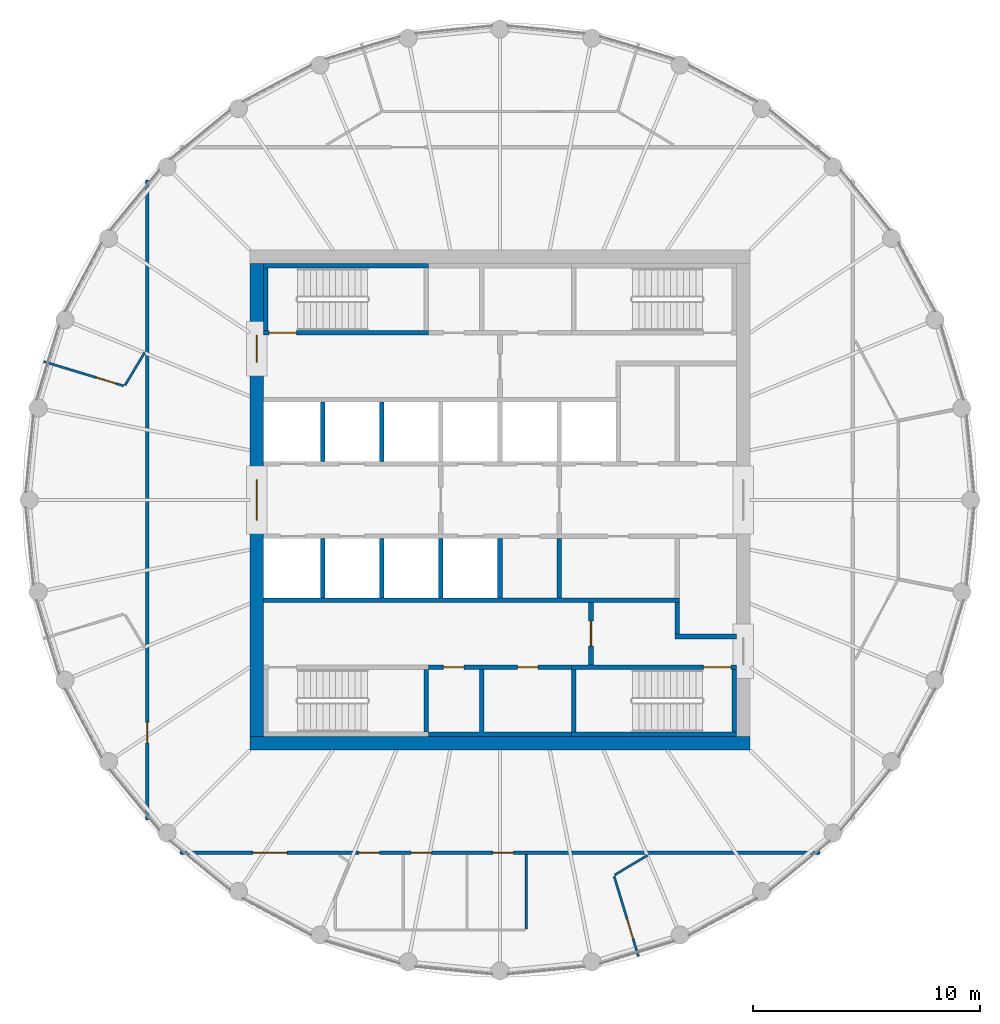
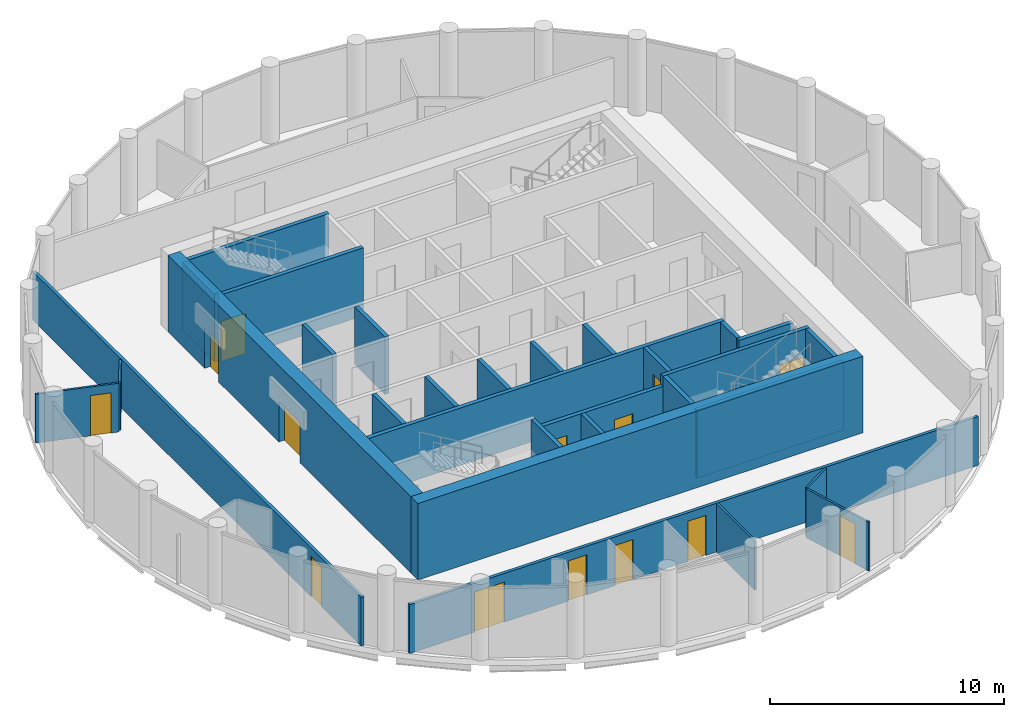
# One storey, part 4 of 7: 30 walls, 14 doors, 14 openings.
"""IFC4 building model written with IfcOpenShell, lengths in metres."""

from ifc_helpers import new_model, si_unit, direction, frame, frame_2d, origin, place, context, subcontext, project, spatial, polyline, rectangle, outline, extrude, material, layer, layer_set, type_object, element, fill, save


model = new_model("IFC4")

# Units and contexts
model_context = context("Model", 3, precision=1e-05, world=origin(), true_north=direction((0.0, 1.0)))
body_context = subcontext(model_context, "Body", "Model", "MODEL_VIEW")
ifc_project = project(units=[si_unit("LENGTHUNIT", "METRE"), si_unit("AREAUNIT", "SQUARE_METRE"), si_unit("VOLUMEUNIT", "CUBIC_METRE"), si_unit("PLANEANGLEUNIT", "RADIAN"), si_unit("MASSUNIT", "GRAM", prefix="KILO")], contexts=[model_context])

# Site, building, storey
site_placement = place(None, origin())
site = spatial("IfcSite", under=ifc_project, at=site_placement, CompositionType="ELEMENT")
building_placement = place(site_placement, origin())
building = spatial("IfcBuilding", under=site, at=building_placement, Name="Corvane Civic Tower", CompositionType="ELEMENT")
storey_placement = place(building_placement, frame((0.0, 0.0, 376.5)))
storey = spatial("IfcBuildingStorey", under=building, at=storey_placement, Name="L90", CompositionType="ELEMENT", Elevation=376.5)

# Wall
ifc_material_1 = material(Name="Concrete C40/50", Category="concrete")
ifc_layer_1 = layer(ifc_material_1, 0.60009765625)
ifc_layer_set_1 = layer_set([ifc_layer_1], Name="Concrete C40/50")
wall_type_1 = type_object("IfcWallType", Name="CORE WALL 600 C40/50", PredefinedType="SHEAR", material=ifc_layer_set_1)
wall_1_placement = place(storey_placement, frame((-11.0, -10.699951171875, 0.0), z_axis=(0.0, 0.0, 1.0), x_axis=(1.0, 0.0, 0.0)))
element("IfcWall", 1, at=wall_1_placement, inside=storey, type_object=wall_type_1, Name="W-L90-core-S", PredefinedType="SHEAR", context=body_context, shape_type="SweptSolid", body=[
    extrude(rectangle(XDim=22.0, YDim=0.60009765625, at=frame_2d((11.0, 0.0))), origin(), (0.0, 0.0, 1.0), 4.0),
])

# Wall, openings, doors
wall_2_placement = place(storey_placement, frame((-10.699951171875, -10.39990234375, 0.0), z_axis=(0.0, 0.0, 1.0), x_axis=(0.0, 1.0, 0.0)))
wall_2 = element("IfcWall", 2, at=wall_2_placement, inside=storey, type_object=wall_type_1, Name="W-L90-core-W", PredefinedType="SHEAR", context=body_context, shape_type="SweptSolid", body=[
    extrude(rectangle(XDim=20.7998046875, YDim=0.60009765625, at=frame_2d((10.39990234375, 0.0))), origin(), (0.0, 0.0, 1.0), 4.0),
])
opening_1_placement = place(wall_2_placement, frame((9.5, 0.0, 0.0)))
opening_1 = element("IfcOpeningElement", 3, at=opening_1_placement, cuts=wall_2, Name="Opening L90.C18", PredefinedType="OPENING", context=body_context, shape_type="SweptSolid", body=[
    extrude(rectangle(XDim=1.800048828125, YDim=2.10009765625, at=frame_2d((0.89990234375, 1.050048828125))), frame((0.0, 0.31005859375, 0.0), z_axis=(0.0, -1.0, 0.0), x_axis=(1.0, 0.0, 0.0)), (0.0, 0.0, 1.0), 0.6201171875),
])
opening_2_placement = place(wall_2_placement, frame((16.449951171875, 0.0, 0.0)))
opening_2 = element("IfcOpeningElement", 4, at=opening_2_placement, cuts=wall_2, Name="Opening L90.C20", PredefinedType="OPENING", context=body_context, shape_type="SweptSolid", body=[
    extrude(rectangle(XDim=1.199951171875, YDim=2.10009765625, at=frame_2d((0.60009765625, 1.050048828125))), frame((0.0, 0.31005859375, 0.0), z_axis=(0.0, -1.0, 0.0), x_axis=(1.0, 0.0, 0.0)), (0.0, 0.0, 1.0), 0.6201171875),
])
ifc_material_2 = material(Name="Steel fire door leaf", Category="steel")
door_type_1 = type_object("IfcDoorType", Name="CR-DOOR-CORE-1800", OperationType="DOUBLE_DOOR_SINGLE_SWING", PredefinedType="DOOR", material=ifc_material_2)
door_1_placement = place(opening_1_placement, origin())
door_1 = element("IfcDoor", 5, at=door_1_placement, inside=storey, type_object=door_type_1, Name="L90 door", OperationType="DOUBLE_DOOR_SINGLE_SWING", OverallHeight=2.10009765625, OverallWidth=1.800048828125, PredefinedType="DOOR", context=body_context, shape_type="SweptSolid", body=[
    extrude(rectangle(XDim=1.800048828125, YDim=2.10009765625, at=frame_2d((0.89990234375, 1.050048828125))), frame((0.0, 0.02490234375, 0.0), z_axis=(0.0, -1.0, 0.0), x_axis=(1.0, 0.0, 0.0)), (0.0, 0.0, 1.0), 0.050048828125),
])
fill(opening_1, door_1)
door_2_placement = place(opening_2_placement, origin())
door_2 = element("IfcDoor", 6, at=door_2_placement, inside=storey, type_object=door_type_1, Name="L90 door", OperationType="DOUBLE_DOOR_SINGLE_SWING", OverallHeight=2.10009765625, OverallWidth=1.199951171875, PredefinedType="DOOR", context=body_context, shape_type="SweptSolid", body=[
    extrude(rectangle(XDim=1.199951171875, YDim=2.10009765625, at=frame_2d((0.60009765625, 1.050048828125))), frame((0.0, 0.02490234375, 0.0), z_axis=(0.0, -1.0, 0.0), x_axis=(1.0, 0.0, 0.0)), (0.0, 0.0, 1.0), 0.050048828125),
])
fill(opening_2, door_2)

ifc_material_3 = material(Name="Concrete C30/37", Category="concrete")
ifc_layer_2 = layer(ifc_material_3, 0.199951171875)
ifc_layer_set_2 = layer_set([ifc_layer_2], Name="Concrete C30/37")
wall_type_2 = type_object("IfcWallType", Name="CR-WALL-200", PredefinedType="PARTITIONING", material=ifc_layer_set_2)
wall_3_placement = place(storey_placement, frame((-3.14990234375, -7.35009765625, 0.0), z_axis=(0.0, 0.0, 1.0), x_axis=(1.0, 0.0, 0.0)))
wall_3 = element("IfcWall", 7, at=wall_3_placement, inside=storey, type_object=wall_type_2, Name="L90 core partition wall", PredefinedType="PARTITIONING", context=body_context, shape_type="SweptSolid", body=[
    extrude(rectangle(XDim=6.2998046875, YDim=0.199951171875, at=frame_2d((3.14990234375, 0.0))), origin(), (0.0, 0.0, 1.0), 3.0),
])
opening_3_placement = place(wall_3_placement, frame((0.675048828125, 0.0, 0.0)))
opening_3 = element("IfcOpeningElement", 8, at=opening_3_placement, cuts=wall_3, Name="Opening L90.C08", PredefinedType="OPENING", context=body_context, shape_type="SweptSolid", body=[
    extrude(rectangle(XDim=0.89990234375, YDim=2.10009765625, at=frame_2d((0.449951171875, 1.050048828125))), frame((0.0, 0.10986328125, 0.0), z_axis=(0.0, -1.0, 0.0), x_axis=(1.0, 0.0, 0.0)), (0.0, 0.0, 1.0), 0.219970703125),
])
opening_4_placement = place(wall_3_placement, frame((3.925048828125, 0.0, 0.0)))
opening_4 = element("IfcOpeningElement", 9, at=opening_4_placement, cuts=wall_3, Name="Opening L90.C09", PredefinedType="OPENING", context=body_context, shape_type="SweptSolid", body=[
    extrude(rectangle(XDim=0.89990234375, YDim=2.10009765625, at=frame_2d((0.449951171875, 1.050048828125))), frame((0.0, 0.10986328125, 0.0), z_axis=(0.0, -1.0, 0.0), x_axis=(1.0, 0.0, 0.0)), (0.0, 0.0, 1.0), 0.219970703125),
])
ifc_material_4 = material(Name="Steel fire door leaf", Category="steel")
door_type_2 = type_object("IfcDoorType", Name="CR-DOOR-900", OperationType="SINGLE_SWING_LEFT", PredefinedType="DOOR", material=ifc_material_4)
door_3_placement = place(opening_3_placement, origin())
door_3 = element("IfcDoor", 10, at=door_3_placement, inside=storey, type_object=door_type_2, Name="L90 door", OperationType="SINGLE_SWING_LEFT", OverallHeight=2.10009765625, OverallWidth=0.89990234375, PredefinedType="DOOR", context=body_context, shape_type="SweptSolid", body=[
    extrude(rectangle(XDim=0.89990234375, YDim=2.10009765625, at=frame_2d((0.449951171875, 1.050048828125))), frame((0.0, 0.02490234375, 0.0), z_axis=(0.0, -1.0, 0.0), x_axis=(1.0, 0.0, 0.0)), (0.0, 0.0, 1.0), 0.050048828125),
])
fill(opening_3, door_3)
door_4_placement = place(opening_4_placement, origin())
door_4 = element("IfcDoor", 11, at=door_4_placement, inside=storey, type_object=door_type_2, Name="L90 door", OperationType="SINGLE_SWING_LEFT", OverallHeight=2.10009765625, OverallWidth=0.89990234375, PredefinedType="DOOR", context=body_context, shape_type="SweptSolid", body=[
    extrude(rectangle(XDim=0.89990234375, YDim=2.10009765625, at=frame_2d((0.449951171875, 1.050048828125))), frame((0.0, 0.02490234375, 0.0), z_axis=(0.0, -1.0, 0.0), x_axis=(1.0, 0.0, 0.0)), (0.0, 0.0, 1.0), 0.050048828125),
])
fill(opening_4, door_4)

# Wall, opening, door
wall_4_placement = place(storey_placement, frame((4.0, -7.25, 0.0), z_axis=(0.0, 0.0, 1.0), x_axis=(0.0, 1.0, 0.0)))
wall_4 = element("IfcWall", 12, at=wall_4_placement, inside=storey, type_object=wall_type_2, Name="L90 core partition wall", PredefinedType="PARTITIONING", context=body_context, shape_type="SweptSolid", body=[
    extrude(rectangle(XDim=2.75, YDim=0.199951171875, at=frame_2d((1.375, 0.0))), origin(), (0.0, 0.0, 1.0), 3.0),
])
opening_5_placement = place(wall_4_placement, frame((0.824951171875, 0.0, 0.0)))
opening_5 = element("IfcOpeningElement", 13, at=opening_5_placement, cuts=wall_4, Name="Opening L90.C17", PredefinedType="OPENING", context=body_context, shape_type="SweptSolid", body=[
    extrude(rectangle(XDim=1.10009765625, YDim=2.10009765625, at=frame_2d((0.550048828125, 1.050048828125))), frame((0.0, 0.10986328125, 0.0), z_axis=(0.0, -1.0, 0.0), x_axis=(1.0, 0.0, 0.0)), (0.0, 0.0, 1.0), 0.219970703125),
])
ifc_material_5 = material(Name="Steel fire door leaf", Category="steel")
door_type_3 = type_object("IfcDoorType", Name="CR-DOOR-FFL-1100", OperationType="SINGLE_SWING_LEFT", PredefinedType="DOOR", material=ifc_material_5)
door_5_placement = place(opening_5_placement, origin())
door_5 = element("IfcDoor", 14, at=door_5_placement, inside=storey, type_object=door_type_3, Name="L90 lobby door", OperationType="SINGLE_SWING_LEFT", OverallHeight=2.10009765625, OverallWidth=1.10009765625, PredefinedType="DOOR", context=body_context, shape_type="SweptSolid", body=[
    extrude(rectangle(XDim=1.10009765625, YDim=2.10009765625, at=frame_2d((0.550048828125, 1.050048828125))), frame((0.0, 0.02490234375, 0.0), z_axis=(0.0, -1.0, 0.0), x_axis=(1.0, 0.0, 0.0)), (0.0, 0.0, 1.0), 0.050048828125),
])
fill(opening_5, door_5)

# Walls
wall_5_placement = place(storey_placement, origin())
element("IfcWall", 15, at=wall_5_placement, inside=storey, type_object=wall_type_2, Name="L90 core partition wall", PredefinedType="PARTITIONING", context=body_context, shape_type="SweptSolid", body=[
    extrude(outline(polyline([(7.89990234375, -4.300048828125), (7.89990234375, -4.5), (-10.39990234375, -4.5), (-10.39990234375, -4.300048828125), (7.89990234375, -4.300048828125)])), origin(), (0.0, 0.0, 1.0), 3.0),
])
wall_6_placement = place(storey_placement, origin())
element("IfcWall", 16, at=wall_6_placement, inside=storey, type_object=wall_type_2, Name="L90 core partition wall", PredefinedType="PARTITIONING", context=body_context, shape_type="SweptSolid", body=[
    extrude(outline(polyline([(10.39990234375, -6.10009765625), (7.699951171875, -6.10009765625), (7.699951171875, -5.89990234375), (10.39990234375, -5.89990234375), (10.39990234375, -6.10009765625)])), origin(), (0.0, 0.0, 1.0), 3.0),
])
wall_7_placement = place(storey_placement, origin())
element("IfcWall", 17, at=wall_7_placement, inside=storey, type_object=wall_type_2, Name="L90 core partition wall", PredefinedType="PARTITIONING", context=body_context, shape_type="SweptSolid", body=[
    extrude(outline(polyline([(-2.5, -1.699951171875), (-2.5, -4.2998046875), (-2.699951171875, -4.2998046875), (-2.699951171875, -1.699951171875), (-2.5, -1.699951171875)])), origin(), (0.0, 0.0, 1.0), 3.0),
])
wall_8_placement = place(storey_placement, origin())
element("IfcWall", 18, at=wall_8_placement, inside=storey, type_object=wall_type_2, Name="L90 core partition wall", PredefinedType="PARTITIONING", context=body_context, shape_type="SweptSolid", body=[
    extrude(outline(polyline([(2.699951171875, -1.699951171875), (2.699951171875, -4.2998046875), (2.5, -4.2998046875), (2.5, -1.699951171875), (2.699951171875, -1.699951171875)])), origin(), (0.0, 0.0, 1.0), 3.0),
])
wall_9_placement = place(storey_placement, origin())
element("IfcWall", 19, at=wall_9_placement, inside=storey, type_object=wall_type_2, Name="L90 core partition wall", PredefinedType="PARTITIONING", context=body_context, shape_type="SweptSolid", body=[
    extrude(outline(polyline([(0.10009765625, -1.699951171875), (0.10009765625, -4.2998046875), (-0.10009765625, -4.2998046875), (-0.10009765625, -1.699951171875), (0.10009765625, -1.699951171875)])), origin(), (0.0, 0.0, 1.0), 3.0),
])
wall_10_placement = place(storey_placement, origin())
element("IfcWall", 20, at=wall_10_placement, inside=storey, type_object=wall_type_2, Name="L90 core partition wall", PredefinedType="PARTITIONING", context=body_context, shape_type="SweptSolid", body=[
    extrude(outline(polyline([(-7.699951171875, -1.699951171875), (-7.699951171875, -4.2998046875), (-7.89990234375, -4.2998046875), (-7.89990234375, -1.699951171875), (-7.699951171875, -1.699951171875)])), origin(), (0.0, 0.0, 1.0), 3.0),
])
wall_11_placement = place(storey_placement, origin())
element("IfcWall", 21, at=wall_11_placement, inside=storey, type_object=wall_type_2, Name="L90 core partition wall", PredefinedType="PARTITIONING", context=body_context, shape_type="SweptSolid", body=[
    extrude(outline(polyline([(-5.10009765625, -1.699951171875), (-5.10009765625, -4.2998046875), (-5.300048828125, -4.2998046875), (-5.300048828125, -1.699951171875), (-5.10009765625, -1.699951171875)])), origin(), (0.0, 0.0, 1.0), 3.0),
])
wall_12_placement = place(storey_placement, origin())
element("IfcWall", 22, at=wall_12_placement, inside=storey, type_object=wall_type_2, Name="L90 core partition wall", PredefinedType="PARTITIONING", context=body_context, shape_type="SweptSolid", body=[
    extrude(outline(polyline([(7.89990234375, -5.89990234375), (7.699951171875, -5.89990234375), (7.699951171875, -4.5), (7.89990234375, -4.5), (7.89990234375, -5.89990234375)])), origin(), (0.0, 0.0, 1.0), 3.0),
])
wall_13_placement = place(storey_placement, origin())
element("IfcWall", 23, at=wall_13_placement, inside=storey, type_object=wall_type_2, Name="L90 core partition wall", PredefinedType="PARTITIONING", context=body_context, shape_type="SweptSolid", body=[
    extrude(outline(polyline([(-7.699951171875, 1.699951171875), (-7.89990234375, 1.699951171875), (-7.89990234375, 4.2998046875), (-7.699951171875, 4.2998046875), (-7.699951171875, 1.699951171875)])), origin(), (0.0, 0.0, 1.0), 3.0),
])
wall_14_placement = place(storey_placement, origin())
element("IfcWall", 24, at=wall_14_placement, inside=storey, type_object=wall_type_2, Name="L90 core partition wall", PredefinedType="PARTITIONING", context=body_context, shape_type="SweptSolid", body=[
    extrude(outline(polyline([(-5.10009765625, 1.699951171875), (-5.300048828125, 1.699951171875), (-5.300048828125, 4.2998046875), (-5.10009765625, 4.2998046875), (-5.10009765625, 1.699951171875)])), origin(), (0.0, 0.0, 1.0), 3.0),
])
wall_15_placement = place(storey_placement, origin())
element("IfcWall", 25, at=wall_15_placement, inside=storey, type_object=wall_type_2, Name="L90 core partition wall", PredefinedType="PARTITIONING", context=body_context, shape_type="SweptSolid", body=[
    extrude(outline(polyline([(-0.699951171875, -7.449951171875), (-0.699951171875, -10.199951171875), (3.14990234375, -10.199951171875), (3.14990234375, -10.39990234375), (-3.14990234375, -10.39990234375), (-3.14990234375, -10.199951171875), (-0.89990234375, -10.199951171875), (-0.89990234375, -7.449951171875), (-0.699951171875, -7.449951171875)])), origin(), (0.0, 0.0, 1.0), 3.0),
])

# Wall, opening, door
ifc_material_6 = material(Name="Plasterboard")
ifc_layer_3 = layer(ifc_material_6, 0.10009765625)
ifc_layer_set_3 = layer_set([ifc_layer_3], Name="Plasterboard")
wall_type_3 = type_object("IfcWallType", Name="Partition 100 plasterboard on studs", PredefinedType="PARTITIONING", material=ifc_layer_set_3)
wall_16_placement = place(storey_placement, frame((5.017578125, -16.54052734375, 0.0), z_axis=(0.0, 0.0, 1.0), x_axis=(0.290273588245, -0.956943699476, 0.0)))
wall_16 = element("IfcWall", 26, at=wall_16_placement, inside=storey, type_object=wall_type_3, Name="Partition L90.001", PredefinedType="PARTITIONING", context=body_context, shape_type="SweptSolid", body=[
    extrude(rectangle(XDim=3.665283203125, YDim=0.10009765625, at=frame_2d((1.83251953125, 0.0))), origin(), (0.0, 0.0, 1.0), 2.550048828125),
])
opening_6_placement = place(wall_16_placement, frame((1.970458984375, 0.0, 0.0)))
opening_6 = element("IfcOpeningElement", 27, at=opening_6_placement, cuts=wall_16, Name="Opening L90.009", PredefinedType="OPENING", context=body_context, shape_type="SweptSolid", body=[
    extrude(rectangle(XDim=0.89990234375, YDim=2.10009765625, at=frame_2d((0.449951171875, 1.050048828125))), frame((0.0, 0.06005859375, 0.0), z_axis=(0.0, -1.0, 0.0), x_axis=(1.0, 0.0, 0.0)), (0.0, 0.0, 1.0), 0.1201171875),
])
ifc_material_7 = material(Name="Timber", Category="wood")
door_type_4 = type_object("IfcDoorType", Name="Single door 900", OperationType="NOTDEFINED", PredefinedType="DOOR", material=ifc_material_7)
door_6_placement = place(opening_6_placement, origin())
door_6 = element("IfcDoor", 28, at=door_6_placement, inside=storey, type_object=door_type_4, Name="Door L90.009", OperationType="SINGLE_SWING_RIGHT", OverallHeight=2.10009765625, OverallWidth=0.89990234375, PredefinedType="DOOR", context=body_context, shape_type="SweptSolid", body=[
    extrude(rectangle(XDim=0.89990234375, YDim=2.10009765625, at=frame_2d((0.449951171875, 1.050048828125))), frame((0.0, 0.02490234375, 0.0), z_axis=(0.0, -1.0, 0.0), x_axis=(1.0, 0.0, 0.0)), (0.0, 0.0, 1.0), 0.050048828125),
])
fill(opening_6, door_6)

# Walls
wall_17_placement = place(storey_placement, frame((1.15234375, -18.85009765625, 0.0), z_axis=(0.0, 0.0, 1.0), x_axis=(0.0, 1.0, 0.0)))
element("IfcWall", 29, at=wall_17_placement, inside=storey, type_object=wall_type_3, Name="Partition L90.006", PredefinedType="PARTITIONING", context=body_context, shape_type="SweptSolid", body=[
    extrude(rectangle(XDim=3.275146484375, YDim=0.10009765625, at=frame_2d((1.6376953125, 0.0))), origin(), (0.0, 0.0, 1.0), 2.550048828125),
])
wall_18_placement = place(storey_placement, frame((5.03955078125, -16.483154296875, 0.0), z_axis=(0.0, 0.0, 1.0), x_axis=(0.857736017679, 0.514090385025, 0.0)))
element("IfcWall", 30, at=wall_18_placement, inside=storey, type_object=wall_type_3, Name="Partition L90.008", PredefinedType="PARTITIONING", context=body_context, shape_type="SweptSolid", body=[
    extrude(rectangle(XDim=1.68310546875, YDim=0.10009765625, at=frame_2d((0.841552734375, 0.0))), origin(), (0.0, 0.0, 1.0), 2.550048828125),
])

# Wall, opening, door
wall_19_placement = place(storey_placement, frame((-20.048095703125, 6.08154296875, 0.0), z_axis=(0.0, 0.0, 1.0), x_axis=(0.956943699476, -0.290273588245, 0.0)))
wall_19 = element("IfcWall", 31, at=wall_19_placement, inside=storey, type_object=wall_type_3, Name="Partition L90.020", PredefinedType="PARTITIONING", context=body_context, shape_type="SweptSolid", body=[
    extrude(rectangle(XDim=3.665283203125, YDim=0.10009765625, at=frame_2d((1.83251953125, 0.0))), origin(), (0.0, 0.0, 1.0), 2.550048828125),
])
opening_7_placement = place(wall_19_placement, frame((2.416259765625, 0.0, 0.0)))
opening_7 = element("IfcOpeningElement", 32, at=opening_7_placement, cuts=wall_19, Name="Opening L90.016", PredefinedType="OPENING", context=body_context, shape_type="SweptSolid", body=[
    extrude(rectangle(XDim=0.89990234375, YDim=2.10009765625, at=frame_2d((0.449951171875, 1.050048828125))), frame((0.0, 0.06005859375, 0.0), z_axis=(0.0, -1.0, 0.0), x_axis=(1.0, 0.0, 0.0)), (0.0, 0.0, 1.0), 0.1201171875),
])
door_7_placement = place(opening_7_placement, origin())
door_7 = element("IfcDoor", 33, at=door_7_placement, inside=storey, type_object=door_type_4, Name="Door L90.016", OperationType="SINGLE_SWING_LEFT", OverallHeight=2.10009765625, OverallWidth=0.89990234375, PredefinedType="DOOR", context=body_context, shape_type="SweptSolid", body=[
    extrude(rectangle(XDim=0.89990234375, YDim=2.10009765625, at=frame_2d((0.449951171875, 1.050048828125))), frame((0.0, 0.02490234375, 0.0), z_axis=(0.0, -1.0, 0.0), x_axis=(1.0, 0.0, 0.0)), (0.0, 0.0, 1.0), 0.050048828125),
])
fill(opening_7, door_7)

# Wall
wall_20_placement = place(storey_placement, frame((-16.483154296875, 5.03955078125, 0.0), z_axis=(0.0, 0.0, 1.0), x_axis=(0.514090385025, 0.857736017679, 0.0)))
element("IfcWall", 34, at=wall_20_placement, inside=storey, type_object=wall_type_3, Name="Partition L90.021", PredefinedType="PARTITIONING", context=body_context, shape_type="SweptSolid", body=[
    extrude(rectangle(XDim=1.68310546875, YDim=0.10009765625, at=frame_2d((0.841552734375, 0.0))), origin(), (0.0, 0.0, 1.0), 2.550048828125),
])

# Wall, opening, door
ifc_material_8 = material(Name="Concrete C50/60", Category="concrete")
ifc_layer_4 = layer(ifc_material_8, 0.199951171875)
ifc_layer_set_4 = layer_set([ifc_layer_4], Name="Concrete C50/60")
wall_type_4 = type_object("IfcWallType", Name="ST-WALL-200", PredefinedType="SHEAR", material=ifc_layer_set_4)
wall_21_placement = place(storey_placement, frame((3.14990234375, -7.35009765625, 0.0), z_axis=(0.0, 0.0, 1.0), x_axis=(1.0, 0.0, 0.0)))
wall_21 = element("IfcWall", 35, at=wall_21_placement, inside=storey, type_object=wall_type_4, Name="L90 stair enclosure wall", PredefinedType="SHEAR", context=body_context, shape_type="SweptSolid", body=[
    extrude(rectangle(XDim=7.25, YDim=0.199951171875, at=frame_2d((3.625, 0.0))), origin(), (0.0, 0.0, 1.0), 3.550048828125),
])
opening_8_placement = place(wall_21_placement, frame((5.800048828125, 0.0, 0.0)))
opening_8 = element("IfcOpeningElement", 36, at=opening_8_placement, cuts=wall_21, Name="Opening L90.C12", PredefinedType="OPENING", context=body_context, shape_type="SweptSolid", body=[
    extrude(rectangle(XDim=1.199951171875, YDim=2.10009765625, at=frame_2d((0.60009765625, 1.050048828125))), frame((0.0, 0.10986328125, 0.0), z_axis=(0.0, -1.0, 0.0), x_axis=(1.0, 0.0, 0.0)), (0.0, 0.0, 1.0), 0.219970703125),
])
ifc_material_9 = material(Name="Steel fire door leaf", Category="steel")
door_type_5 = type_object("IfcDoorType", Name="ST-DOOR-1200", OperationType="SINGLE_SWING_RIGHT", PredefinedType="DOOR", material=ifc_material_9)
door_8_placement = place(opening_8_placement, origin())
door_8 = element("IfcDoor", 37, at=door_8_placement, inside=storey, type_object=door_type_5, Name="L90 stair door", OperationType="SINGLE_SWING_RIGHT", OverallHeight=2.10009765625, OverallWidth=1.199951171875, PredefinedType="DOOR", context=body_context, shape_type="SweptSolid", body=[
    extrude(rectangle(XDim=1.199951171875, YDim=2.10009765625, at=frame_2d((0.60009765625, 1.050048828125))), frame((0.0, 0.02490234375, 0.0), z_axis=(0.0, -1.0, 0.0), x_axis=(1.0, 0.0, 0.0)), (0.0, 0.0, 1.0), 0.050048828125),
])
fill(opening_8, door_8)

wall_22_placement = place(storey_placement, frame((-10.39990234375, 7.35009765625, 0.0), z_axis=(0.0, 0.0, 1.0), x_axis=(1.0, 0.0, 0.0)))
wall_22 = element("IfcWall", 38, at=wall_22_placement, inside=storey, type_object=wall_type_4, Name="L90 stair enclosure wall", PredefinedType="SHEAR", context=body_context, shape_type="SweptSolid", body=[
    extrude(rectangle(XDim=7.25, YDim=0.199951171875, at=frame_2d((3.625, 0.0))), origin(), (0.0, 0.0, 1.0), 3.550048828125),
])
opening_9_placement = place(wall_22_placement, frame((0.25, 0.0, 0.0)))
opening_9 = element("IfcOpeningElement", 39, at=opening_9_placement, cuts=wall_22, Name="Opening L90.C11", PredefinedType="OPENING", context=body_context, shape_type="SweptSolid", body=[
    extrude(rectangle(XDim=1.199951171875, YDim=2.10009765625, at=frame_2d((0.60009765625, 1.050048828125))), frame((0.0, 0.10986328125, 0.0), z_axis=(0.0, -1.0, 0.0), x_axis=(1.0, 0.0, 0.0)), (0.0, 0.0, 1.0), 0.219970703125),
])
door_9_placement = place(opening_9_placement, origin())
door_9 = element("IfcDoor", 40, at=door_9_placement, inside=storey, type_object=door_type_5, Name="L90 stair door", OperationType="SINGLE_SWING_RIGHT", OverallHeight=2.10009765625, OverallWidth=1.199951171875, PredefinedType="DOOR", context=body_context, shape_type="SweptSolid", body=[
    extrude(rectangle(XDim=1.199951171875, YDim=2.10009765625, at=frame_2d((0.60009765625, 1.050048828125))), frame((0.0, 0.02490234375, 0.0), z_axis=(0.0, -1.0, 0.0), x_axis=(1.0, 0.0, 0.0)), (0.0, 0.0, 1.0), 0.050048828125),
])
fill(opening_9, door_9)

# Walls
wall_23_placement = place(storey_placement, origin())
element("IfcWall", 41, at=wall_23_placement, inside=storey, type_object=wall_type_4, Name="L90 stair enclosure wall", PredefinedType="SHEAR", context=body_context, shape_type="SweptSolid", body=[
    extrude(outline(polyline([(-3.14990234375, 10.199951171875), (-10.39990234375, 10.199951171875), (-10.39990234375, 10.39990234375), (-3.14990234375, 10.39990234375), (-3.14990234375, 10.199951171875)])), origin(), (0.0, 0.0, 1.0), 3.550048828125),
])
wall_24_placement = place(storey_placement, origin())
element("IfcWall", 42, at=wall_24_placement, inside=storey, type_object=wall_type_4, Name="L90 stair enclosure wall", PredefinedType="SHEAR", context=body_context, shape_type="SweptSolid", body=[
    extrude(outline(polyline([(10.39990234375, -10.39990234375), (3.14990234375, -10.39990234375), (3.14990234375, -10.199951171875), (10.39990234375, -10.199951171875), (10.39990234375, -10.39990234375)])), origin(), (0.0, 0.0, 1.0), 3.550048828125),
])
wall_25_placement = place(storey_placement, origin())
element("IfcWall", 43, at=wall_25_placement, inside=storey, type_object=wall_type_4, Name="L90 stair enclosure wall", PredefinedType="SHEAR", context=body_context, shape_type="SweptSolid", body=[
    extrude(outline(polyline([(-3.14990234375, -7.449951171875), (-3.14990234375, -10.199951171875), (-3.35009765625, -10.199951171875), (-3.35009765625, -7.449951171875), (-3.14990234375, -7.449951171875)])), origin(), (0.0, 0.0, 1.0), 3.550048828125),
])
wall_26_placement = place(storey_placement, origin())
element("IfcWall", 44, at=wall_26_placement, inside=storey, type_object=wall_type_4, Name="L90 stair enclosure wall", PredefinedType="SHEAR", context=body_context, shape_type="SweptSolid", body=[
    extrude(outline(polyline([(3.35009765625, -7.449951171875), (3.35009765625, -10.199951171875), (3.14990234375, -10.199951171875), (3.14990234375, -7.449951171875), (3.35009765625, -7.449951171875)])), origin(), (0.0, 0.0, 1.0), 3.550048828125),
])
wall_27_placement = place(storey_placement, origin())
element("IfcWall", 45, at=wall_27_placement, inside=storey, type_object=wall_type_4, Name="L90 stair enclosure wall", PredefinedType="SHEAR", context=body_context, shape_type="SweptSolid", body=[
    extrude(outline(polyline([(-10.199951171875, 7.449951171875), (-10.39990234375, 7.449951171875), (-10.39990234375, 10.199951171875), (-10.199951171875, 10.199951171875), (-10.199951171875, 7.449951171875)])), origin(), (0.0, 0.0, 1.0), 3.550048828125),
])
wall_28_placement = place(storey_placement, origin())
element("IfcWall", 46, at=wall_28_placement, inside=storey, type_object=wall_type_4, Name="L90 stair enclosure wall", PredefinedType="SHEAR", context=body_context, shape_type="SweptSolid", body=[
    extrude(outline(polyline([(10.39990234375, -7.449951171875), (10.39990234375, -10.199951171875), (10.199951171875, -10.199951171875), (10.199951171875, -7.449951171875), (10.39990234375, -7.449951171875)])), origin(), (0.0, 0.0, 1.0), 3.550048828125),
])

# Wall, openings, doors
ifc_material_10 = material(Name="Plasterboard")
ifc_layer_5 = layer(ifc_material_10, 0.14990234375)
ifc_layer_set_5 = layer_set([ifc_layer_5], Name="Plasterboard")
wall_type_5 = type_object("IfcWallType", Name="Tenancy wall 150 EI 60", PredefinedType="PARTITIONING", material=ifc_layer_set_5)
wall_29_placement = place(storey_placement, frame((-14.05712890625, -15.5, 0.0), z_axis=(0.0, 0.0, 1.0), x_axis=(1.0, 0.0, 0.0)))
wall_29 = element("IfcWall", 47, at=wall_29_placement, inside=storey, type_object=wall_type_5, Name="Partition L90.010", PredefinedType="PARTITIONING", context=body_context, shape_type="SweptSolid", body=[
    extrude(rectangle(XDim=28.1142578125, YDim=0.14990234375, at=frame_2d((14.05712890625, 0.0))), origin(), (0.0, 0.0, 1.0), 2.550048828125),
])
opening_10_placement = place(wall_29_placement, frame((3.200439453125, 0.0, 0.0)))
opening_10 = element("IfcOpeningElement", 48, at=opening_10_placement, cuts=wall_29, Name="Opening L90.010", PredefinedType="OPENING", context=body_context, shape_type="SweptSolid", body=[
    extrude(rectangle(XDim=1.5, YDim=2.10009765625, at=frame_2d((0.75, 1.050048828125))), frame((0.0, 0.0849609375, 0.0), z_axis=(0.0, -1.0, 0.0), x_axis=(1.0, 0.0, 0.0)), (0.0, 0.0, 1.0), 0.169921875),
])
opening_11_placement = place(wall_29_placement, frame((7.859619140625, 0.0, 0.0)))
opening_11 = element("IfcOpeningElement", 49, at=opening_11_placement, cuts=wall_29, Name="Opening L90.011", PredefinedType="OPENING", context=body_context, shape_type="SweptSolid", body=[
    extrude(rectangle(XDim=0.89990234375, YDim=2.10009765625, at=frame_2d((0.449951171875, 1.050048828125))), frame((0.0, 0.0849609375, 0.0), z_axis=(0.0, -1.0, 0.0), x_axis=(1.0, 0.0, 0.0)), (0.0, 0.0, 1.0), 0.169921875),
])
opening_12_placement = place(wall_29_placement, frame((10.15234375, 0.0, 0.0)))
opening_12 = element("IfcOpeningElement", 50, at=opening_12_placement, cuts=wall_29, Name="Opening L90.012", PredefinedType="OPENING", context=body_context, shape_type="SweptSolid", body=[
    extrude(rectangle(XDim=0.89990234375, YDim=2.10009765625, at=frame_2d((0.449951171875, 1.050048828125))), frame((0.0, 0.0849609375, 0.0), z_axis=(0.0, -1.0, 0.0), x_axis=(1.0, 0.0, 0.0)), (0.0, 0.0, 1.0), 0.169921875),
])
opening_13_placement = place(wall_29_placement, frame((13.7607421875, 0.0, 0.0)))
opening_13 = element("IfcOpeningElement", 51, at=opening_13_placement, cuts=wall_29, Name="Opening L90.013", PredefinedType="OPENING", context=body_context, shape_type="SweptSolid", body=[
    extrude(rectangle(XDim=0.89990234375, YDim=2.10009765625, at=frame_2d((0.449951171875, 1.050048828125))), frame((0.0, 0.0849609375, 0.0), z_axis=(0.0, -1.0, 0.0), x_axis=(1.0, 0.0, 0.0)), (0.0, 0.0, 1.0), 0.169921875),
])
ifc_material_11 = material(Name="Steel and timber", Category="steel")
door_type_6 = type_object("IfcDoorType", Name="Fire door FD30S 900", OperationType="NOTDEFINED", PredefinedType="DOOR", material=ifc_material_11)
door_10_placement = place(opening_11_placement, frame((0.89990234375, 0.0, 0.0), z_axis=(0.0, 0.0, 1.0), x_axis=(-1.0, 0.0, 0.0)))
door_10 = element("IfcDoor", 52, at=door_10_placement, inside=storey, type_object=door_type_6, Name="Door L90.011", OperationType="SINGLE_SWING_LEFT", OverallHeight=2.10009765625, OverallWidth=0.89990234375, PredefinedType="DOOR", context=body_context, shape_type="SweptSolid", body=[
    extrude(rectangle(XDim=0.89990234375, YDim=2.10009765625, at=frame_2d((0.449951171875, 1.050048828125))), frame((0.0, 0.02490234375, 0.0), z_axis=(0.0, -1.0, 0.0), x_axis=(1.0, 0.0, 0.0)), (0.0, 0.0, 1.0), 0.050048828125),
])
fill(opening_11, door_10)
door_11_placement = place(opening_12_placement, frame((0.89990234375, 0.0, 0.0), z_axis=(0.0, 0.0, 1.0), x_axis=(-1.0, 0.0, 0.0)))
door_11 = element("IfcDoor", 53, at=door_11_placement, inside=storey, type_object=door_type_6, Name="Door L90.012", OperationType="SINGLE_SWING_RIGHT", OverallHeight=2.10009765625, OverallWidth=0.89990234375, PredefinedType="DOOR", context=body_context, shape_type="SweptSolid", body=[
    extrude(rectangle(XDim=0.89990234375, YDim=2.10009765625, at=frame_2d((0.449951171875, 1.050048828125))), frame((0.0, 0.02490234375, 0.0), z_axis=(0.0, -1.0, 0.0), x_axis=(1.0, 0.0, 0.0)), (0.0, 0.0, 1.0), 0.050048828125),
])
fill(opening_12, door_11)
door_12_placement = place(opening_13_placement, frame((0.89990234375, 0.0, 0.0), z_axis=(0.0, 0.0, 1.0), x_axis=(-1.0, 0.0, 0.0)))
door_12 = element("IfcDoor", 54, at=door_12_placement, inside=storey, type_object=door_type_6, Name="Door L90.013", OperationType="SINGLE_SWING_LEFT", OverallHeight=2.10009765625, OverallWidth=0.89990234375, PredefinedType="DOOR", context=body_context, shape_type="SweptSolid", body=[
    extrude(rectangle(XDim=0.89990234375, YDim=2.10009765625, at=frame_2d((0.449951171875, 1.050048828125))), frame((0.0, 0.02490234375, 0.0), z_axis=(0.0, -1.0, 0.0), x_axis=(1.0, 0.0, 0.0)), (0.0, 0.0, 1.0), 0.050048828125),
])
fill(opening_13, door_12)
ifc_material_12 = material(Name="Steel and timber", Category="steel")
door_type_7 = type_object("IfcDoorType", Name="Fire door FD60 double 1500", OperationType="NOTDEFINED", PredefinedType="DOOR", material=ifc_material_12)
door_13_placement = place(opening_10_placement, frame((1.5, 0.0, 0.0), z_axis=(0.0, 0.0, 1.0), x_axis=(-1.0, 0.0, 0.0)))
door_13 = element("IfcDoor", 55, at=door_13_placement, inside=storey, type_object=door_type_7, Name="Door L90.010", OperationType="DOUBLE_DOOR_SINGLE_SWING", OverallHeight=2.10009765625, OverallWidth=1.5, PredefinedType="DOOR", context=body_context, shape_type="SweptSolid", body=[
    extrude(rectangle(XDim=1.5, YDim=2.10009765625, at=frame_2d((0.75, 1.050048828125))), frame((0.0, 0.02490234375, 0.0), z_axis=(0.0, -1.0, 0.0), x_axis=(1.0, 0.0, 0.0)), (0.0, 0.0, 1.0), 0.050048828125),
])
fill(opening_10, door_13)

# Wall, opening, door
wall_30_placement = place(storey_placement, frame((-15.5, -14.05712890625, 0.0), z_axis=(0.0, 0.0, 1.0), x_axis=(0.0, 1.0, 0.0)))
wall_30 = element("IfcWall", 56, at=wall_30_placement, inside=storey, type_object=wall_type_5, Name="Partition L90.011", PredefinedType="PARTITIONING", context=body_context, shape_type="SweptSolid", body=[
    extrude(rectangle(XDim=28.1142578125, YDim=0.14990234375, at=frame_2d((14.05712890625, 0.0))), origin(), (0.0, 0.0, 1.0), 2.550048828125),
])
opening_14_placement = place(wall_30_placement, frame((3.385986328125, 0.0, 0.0)))
opening_14 = element("IfcOpeningElement", 57, at=opening_14_placement, cuts=wall_30, Name="Opening L90.014", PredefinedType="OPENING", context=body_context, shape_type="SweptSolid", body=[
    extrude(rectangle(XDim=0.89990234375, YDim=2.10009765625, at=frame_2d((0.449951171875, 1.050048828125))), frame((0.0, 0.0849609375, 0.0), z_axis=(0.0, -1.0, 0.0), x_axis=(1.0, 0.0, 0.0)), (0.0, 0.0, 1.0), 0.169921875),
])
door_14_placement = place(opening_14_placement, origin())
door_14 = element("IfcDoor", 58, at=door_14_placement, inside=storey, type_object=door_type_6, Name="Door L90.014", OperationType="SINGLE_SWING_LEFT", OverallHeight=2.10009765625, OverallWidth=0.89990234375, PredefinedType="DOOR", context=body_context, shape_type="SweptSolid", body=[
    extrude(rectangle(XDim=0.89990234375, YDim=2.10009765625, at=frame_2d((0.449951171875, 1.050048828125))), frame((0.0, 0.02490234375, 0.0), z_axis=(0.0, -1.0, 0.0), x_axis=(1.0, 0.0, 0.0)), (0.0, 0.0, 1.0), 0.050048828125),
])
fill(opening_14, door_14)

save(model, "model.ifc")
